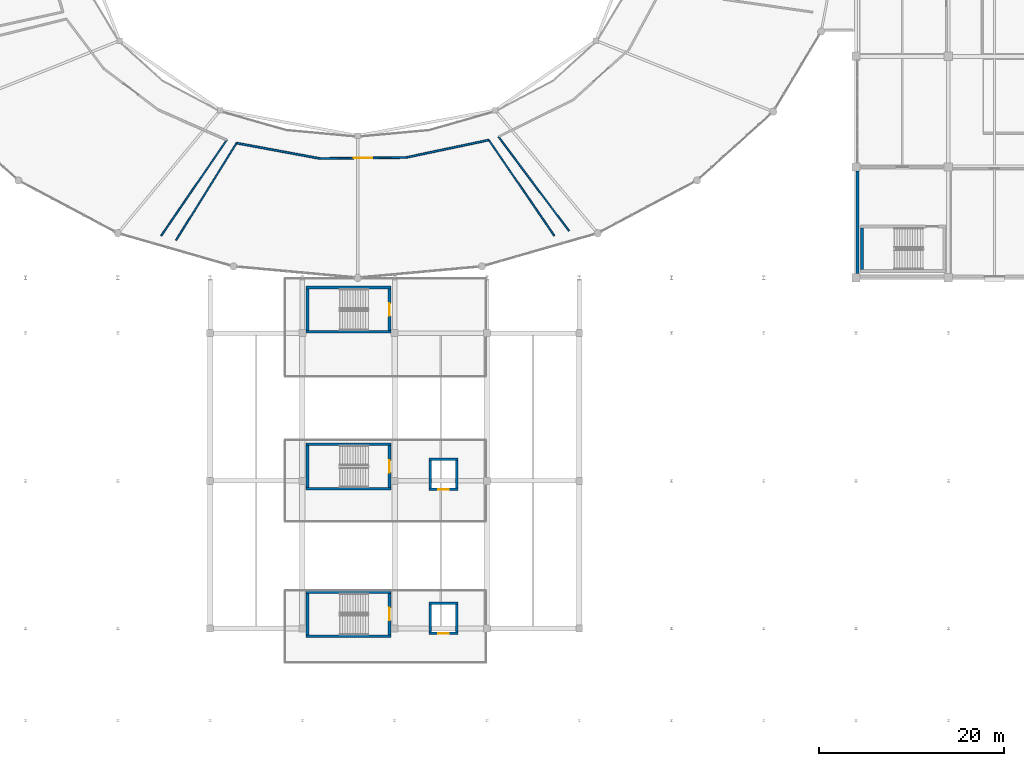
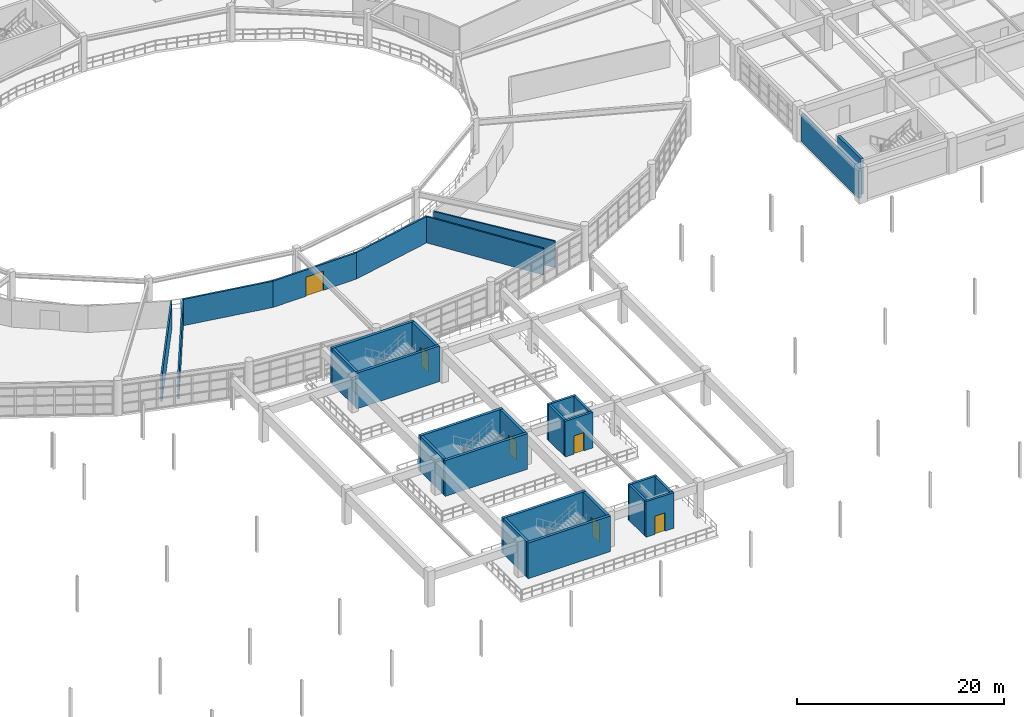
# One storey, part 76 of 100: 29 walls, 6 doors, 6 openings.
"""IFC4 building model written with IfcOpenShell, lengths in metres."""

from ifc_helpers import new_model, si_unit, direction, frame, frame_2d, origin, place, context, subcontext, project, spatial, rectangle, extrude, material, layer, layer_set, type_object, element, fill, save


model = new_model("IFC4")

# Units and contexts
model_context = context("Model", 3, precision=1e-05, world=origin(), true_north=direction((0.0, 1.0)))
body_context = subcontext(model_context, "Body", "Model", "MODEL_VIEW")
ifc_project = project(units=[si_unit("LENGTHUNIT", "METRE"), si_unit("AREAUNIT", "SQUARE_METRE"), si_unit("VOLUMEUNIT", "CUBIC_METRE"), si_unit("PLANEANGLEUNIT", "RADIAN"), si_unit("MASSUNIT", "GRAM", prefix="KILO")], contexts=[model_context])

# Site, building, storey
site_placement = place(None, origin())
site = spatial("IfcSite", under=ifc_project, at=site_placement, CompositionType="ELEMENT")
building_placement = place(site_placement, origin())
building = spatial("IfcBuilding", under=site, at=building_placement, Name="Kivolera Central Railway Station", CompositionType="ELEMENT")
storey_placement = place(building_placement, frame((0.0, 0.0, 5.39990234375)))
storey = spatial("IfcBuildingStorey", under=building, at=storey_placement, Name="L01", CompositionType="ELEMENT", Elevation=5.39990234375)

# Wall
ifc_material_1 = material(Name="Swahili coral limestone", Category="masonry")
ifc_layer_1 = layer(ifc_material_1, 0.199951171875, Name="Swahili coral limestone")
ifc_layer_set_1 = layer_set([ifc_layer_1], Name="Swahili coral limestone")
wall_type_1 = type_object("IfcWallType", Name="WL-COR-200", PredefinedType="PARTITIONING", material=ifc_layer_set_1)
wall_1_placement = place(storey_placement, frame((50.87109375, 68.597900390625, 0.0), z_axis=(0.0, 0.0, 1.0), x_axis=(0.983245863144, -0.18228431806, 0.0)))
element("IfcWall", 1, at=wall_1_placement, inside=storey, type_object=wall_type_1, Name="L01 First-Class Intercity Departure Lounge Gallery Wall 1", PredefinedType="PARTITIONING", context=body_context, shape_type="SweptSolid", body=[
    extrude(rectangle(XDim=9.18798828125, YDim=0.199951171875, at=frame_2d((4.593994140625, 0.0))), origin(), (0.0, 0.0, 1.0), 3.10009765625),
])

# Wall, opening, door
wall_2_placement = place(storey_placement, frame((59.905029296875, 66.923095703125, 0.0), z_axis=(0.0, 0.0, 1.0), x_axis=(0.999927261613, 0.012061155941, 0.0)))
wall_2 = element("IfcWall", 2, at=wall_2_placement, inside=storey, type_object=wall_type_1, Name="L01 First-Class Intercity Departure Lounge Gallery Wall 2", PredefinedType="PARTITIONING", context=body_context, shape_type="SweptSolid", body=[
    extrude(rectangle(XDim=9.351806640625, YDim=0.199951171875, at=frame_2d((4.67578125, 0.0))), origin(), (0.0, 0.0, 1.0), 3.10009765625),
])
opening_1_placement = place(wall_2_placement, frame((3.676025390625, 0.0, 0.0)))
opening_1 = element("IfcOpeningElement", 3, at=opening_1_placement, cuts=wall_2, Name="Opening D-DB-06", PredefinedType="OPENING", context=body_context, shape_type="SweptSolid", body=[
    extrude(rectangle(XDim=2.0, YDim=2.25, at=frame_2d((1.0, 1.125))), frame((0.0, 0.10986328125, 0.0), z_axis=(0.0, -1.0, 0.0), x_axis=(1.0, 0.0, 0.0)), (0.0, 0.0, 1.0), 0.219970703125),
])
ifc_material_2 = material(Name="Anodised aluminium", Category="aluminium")
door_type_1 = type_object("IfcDoorType", Name="DR-D-DB-06", OperationType="NOTDEFINED", PredefinedType="DOOR", material=ifc_material_2)
door_1_placement = place(opening_1_placement, origin())
door_1 = element("IfcDoor", 4, at=door_1_placement, inside=storey, type_object=door_type_1, Name="L01 First-Class Intercity Departure Lounge Door", OperationType="DOUBLE_DOOR_SINGLE_SWING", OverallHeight=2.25, OverallWidth=2.0, PredefinedType="DOOR", context=body_context, shape_type="SweptSolid", body=[
    extrude(rectangle(XDim=2.0, YDim=2.25, at=frame_2d((1.0, 1.125))), frame((0.0, 0.02490234375, 0.0), z_axis=(0.0, -1.0, 0.0), x_axis=(1.0, 0.0, 0.0)), (0.0, 0.0, 1.0), 0.050048828125),
])
fill(opening_1, door_1)

# Walls
wall_3_placement = place(storey_placement, frame((69.256103515625, 67.035888671875, 0.0), z_axis=(0.0, 0.0, 1.0), x_axis=(0.97834699935, 0.206971372085, 0.0)))
element("IfcWall", 5, at=wall_3_placement, inside=storey, type_object=wall_type_1, Name="L01 First-Class Intercity Departure Lounge Gallery Wall 3", PredefinedType="PARTITIONING", context=body_context, shape_type="SweptSolid", body=[
    extrude(rectangle(XDim=9.141845703125, YDim=0.199951171875, at=frame_2d((4.57080078125, 0.0))), origin(), (0.0, 0.0, 1.0), 3.10009765625),
])
ifc_material_3 = material(Name="Concrete C40/50", Category="concrete")
ifc_layer_2 = layer(ifc_material_3, 0.300048828125, Name="Concrete C40/50")
ifc_layer_set_2 = layer_set([ifc_layer_2], Name="Concrete C40/50")
wall_type_2 = type_object("IfcWallType", Name="WL-CORE-300", PredefinedType="SHEAR", material=ifc_layer_set_2)
wall_4_placement = place(storey_placement, frame((118.64990234375, 54.89990234375, 0.0), z_axis=(0.0, 0.0, 1.0), x_axis=(0.0, 1.0, 0.0)))
element("IfcWall", 6, at=wall_4_placement, inside=storey, type_object=wall_type_2, Name="L01 ST4 Core Far Shear Wall", PredefinedType="SHEAR", context=body_context, shape_type="SweptSolid", body=[
    extrude(rectangle(XDim=4.5, YDim=0.300048828125, at=frame_2d((2.25, 0.0))), origin(), (0.0, 0.0, 1.0), 4.2001953125),
])
wall_5_placement = place(storey_placement, frame((67.625, 48.14990234375, 0.0), z_axis=(0.0, 0.0, 1.0), x_axis=(-1.0, 0.0, 0.0)))
element("IfcWall", 7, at=wall_5_placement, inside=storey, type_object=wall_type_2, Name="L01 ST8 Core Right Shear Wall", PredefinedType="SHEAR", context=body_context, shape_type="SweptSolid", body=[
    extrude(rectangle(XDim=9.25, YDim=0.300048828125, at=frame_2d((4.625, 0.0))), origin(), (0.0, 0.0, 1.0), 4.2001953125),
])
wall_6_placement = place(storey_placement, frame((58.39990234375, 52.949951171875, 0.0), z_axis=(0.0, 0.0, 1.0), x_axis=(1.0, 0.0, 0.0)))
element("IfcWall", 8, at=wall_6_placement, inside=storey, type_object=wall_type_2, Name="L01 ST8 Core Left Shear Wall", PredefinedType="SHEAR", context=body_context, shape_type="SweptSolid", body=[
    extrude(rectangle(XDim=9.2001953125, YDim=0.300048828125, at=frame_2d((4.60009765625, 0.0))), origin(), (0.0, 0.0, 1.0), 4.2001953125),
])

# Wall, opening, door
wall_7_placement = place(storey_placement, frame((67.449951171875, 52.800048828125, 0.0), z_axis=(0.0, 0.0, 1.0), x_axis=(0.0, -1.0, 0.0)))
wall_7 = element("IfcWall", 9, at=wall_7_placement, inside=storey, type_object=wall_type_2, Name="L01 ST8 Core Near Shear Wall", PredefinedType="SHEAR", context=body_context, shape_type="SweptSolid", body=[
    extrude(rectangle(XDim=4.5, YDim=0.300048828125, at=frame_2d((2.25, 0.0))), origin(), (0.0, 0.0, 1.0), 4.2001953125),
])
opening_2_placement = place(wall_7_placement, frame((1.574951171875, 0.0, 0.0)))
opening_2 = element("IfcOpeningElement", 10, at=opening_2_placement, cuts=wall_7, Name="Opening D-STAIR-1350", PredefinedType="OPENING", context=body_context, shape_type="SweptSolid", body=[
    extrude(rectangle(XDim=1.35009765625, YDim=2.14990234375, at=frame_2d((0.675048828125, 1.074951171875))), frame((0.0, 0.159912109375, 0.0), z_axis=(0.0, -1.0, 0.0), x_axis=(1.0, 0.0, 0.0)), (0.0, 0.0, 1.0), 0.320068359375),
])
ifc_material_4 = material(Name="Hardwood mvule timber", Category="wood")
door_type_2 = type_object("IfcDoorType", Name="DR-D-STAIR-1350", OperationType="NOTDEFINED", PredefinedType="DOOR", material=ifc_material_4)
door_2_placement = place(opening_2_placement, origin())
door_2 = element("IfcDoor", 11, at=door_2_placement, inside=storey, type_object=door_type_2, Name="L01 ST8 Concourse/Platform Stair Fire Door", OperationType="SINGLE_SWING_LEFT", OverallHeight=2.14990234375, OverallWidth=1.35009765625, PredefinedType="DOOR", context=body_context, shape_type="SweptSolid", body=[
    extrude(rectangle(XDim=1.35009765625, YDim=2.14990234375, at=frame_2d((0.675048828125, 1.074951171875))), frame((0.0, 0.02490234375, 0.0), z_axis=(0.0, -1.0, 0.0), x_axis=(1.0, 0.0, 0.0)), (0.0, 0.0, 1.0), 0.050048828125),
])
fill(opening_2, door_2)

# Walls
wall_8_placement = place(storey_placement, frame((58.550048828125, 48.300048828125, 0.0), z_axis=(0.0, 0.0, 1.0), x_axis=(0.0, 1.0, 0.0)))
element("IfcWall", 12, at=wall_8_placement, inside=storey, type_object=wall_type_2, Name="L01 ST8 Core Far Shear Wall", PredefinedType="SHEAR", context=body_context, shape_type="SweptSolid", body=[
    extrude(rectangle(XDim=4.5, YDim=0.300048828125, at=frame_2d((2.25, 0.0))), origin(), (0.0, 0.0, 1.0), 4.2001953125),
])
for number, where, z_axis, x_axis, name in (
    (13, (67.60009765625, 31.14990234375, 0.0), (0.0, 0.0, 1.0), (-1.0, 0.0, 0.0), "L01 ST9 Core Right Shear Wall"),
    (14, (58.39990234375, 35.949951171875, 0.0), (0.0, 0.0, 1.0), (1.0, 0.0, 0.0), "L01 ST9 Core Left Shear Wall"),
):
    element("IfcWall", number, at=place(storey_placement, frame(where, z_axis=z_axis, x_axis=x_axis)), inside=storey, type_object=wall_type_2, Name=name, PredefinedType="SHEAR", context=body_context, shape_type="SweptSolid", body=[
        extrude(rectangle(XDim=9.2001953125, YDim=0.300048828125, at=frame_2d((4.60009765625, 0.0))), origin(), (0.0, 0.0, 1.0), 4.2001953125),
    ])

# Wall, opening, door
wall_9_placement = place(storey_placement, frame((67.449951171875, 35.800048828125, 0.0), z_axis=(0.0, 0.0, 1.0), x_axis=(0.0, -1.0, 0.0)))
wall_9 = element("IfcWall", 15, at=wall_9_placement, inside=storey, type_object=wall_type_2, Name="L01 ST9 Core Near Shear Wall", PredefinedType="SHEAR", context=body_context, shape_type="SweptSolid", body=[
    extrude(rectangle(XDim=4.5, YDim=0.300048828125, at=frame_2d((2.25, 0.0))), origin(), (0.0, 0.0, 1.0), 4.2001953125),
])
opening_3_placement = place(wall_9_placement, frame((1.574951171875, 0.0, 0.0)))
opening_3 = element("IfcOpeningElement", 16, at=opening_3_placement, cuts=wall_9, Name="Opening D-STAIR-1350", PredefinedType="OPENING", context=body_context, shape_type="SweptSolid", body=[
    extrude(rectangle(XDim=1.35009765625, YDim=2.14990234375, at=frame_2d((0.675048828125, 1.074951171875))), frame((0.0, 0.159912109375, 0.0), z_axis=(0.0, -1.0, 0.0), x_axis=(1.0, 0.0, 0.0)), (0.0, 0.0, 1.0), 0.320068359375),
])
door_3_placement = place(opening_3_placement, origin())
door_3 = element("IfcDoor", 17, at=door_3_placement, inside=storey, type_object=door_type_2, Name="L01 ST9 Concourse/Platform Stair Fire Door", OperationType="SINGLE_SWING_RIGHT", OverallHeight=2.14990234375, OverallWidth=1.35009765625, PredefinedType="DOOR", context=body_context, shape_type="SweptSolid", body=[
    extrude(rectangle(XDim=1.35009765625, YDim=2.14990234375, at=frame_2d((0.675048828125, 1.074951171875))), frame((0.0, 0.02490234375, 0.0), z_axis=(0.0, -1.0, 0.0), x_axis=(1.0, 0.0, 0.0)), (0.0, 0.0, 1.0), 0.050048828125),
])
fill(opening_3, door_3)

# Walls
wall_10_placement = place(storey_placement, frame((58.550048828125, 31.300048828125, 0.0), z_axis=(0.0, 0.0, 1.0), x_axis=(0.0, 1.0, 0.0)))
element("IfcWall", 18, at=wall_10_placement, inside=storey, type_object=wall_type_2, Name="L01 ST9 Core Far Shear Wall", PredefinedType="SHEAR", context=body_context, shape_type="SweptSolid", body=[
    extrude(rectangle(XDim=4.5, YDim=0.300048828125, at=frame_2d((2.25, 0.0))), origin(), (0.0, 0.0, 1.0), 4.2001953125),
])
for number, where, z_axis, x_axis, name in (
    (19, (67.60009765625, 15.14990234375, 0.0), (0.0, 0.0, 1.0), (-1.0, 0.0, 0.0), "L01 ST10 Core Right Shear Wall"),
    (20, (58.39990234375, 19.949951171875, 0.0), (0.0, 0.0, 1.0), (1.0, 0.0, 0.0), "L01 ST10 Core Left Shear Wall"),
):
    element("IfcWall", number, at=place(storey_placement, frame(where, z_axis=z_axis, x_axis=x_axis)), inside=storey, type_object=wall_type_2, Name=name, PredefinedType="SHEAR", context=body_context, shape_type="SweptSolid", body=[
        extrude(rectangle(XDim=9.2001953125, YDim=0.300048828125, at=frame_2d((4.60009765625, 0.0))), origin(), (0.0, 0.0, 1.0), 4.2001953125),
    ])

# Wall, opening, door
wall_11_placement = place(storey_placement, frame((67.449951171875, 19.800048828125, 0.0), z_axis=(0.0, 0.0, 1.0), x_axis=(0.0, -1.0, 0.0)))
wall_11 = element("IfcWall", 21, at=wall_11_placement, inside=storey, type_object=wall_type_2, Name="L01 ST10 Core Near Shear Wall", PredefinedType="SHEAR", context=body_context, shape_type="SweptSolid", body=[
    extrude(rectangle(XDim=4.5, YDim=0.300048828125, at=frame_2d((2.25, 0.0))), origin(), (0.0, 0.0, 1.0), 4.2001953125),
])
opening_4_placement = place(wall_11_placement, frame((1.574951171875, 0.0, 0.0)))
opening_4 = element("IfcOpeningElement", 22, at=opening_4_placement, cuts=wall_11, Name="Opening D-STAIR-1350", PredefinedType="OPENING", context=body_context, shape_type="SweptSolid", body=[
    extrude(rectangle(XDim=1.35009765625, YDim=2.14990234375, at=frame_2d((0.675048828125, 1.074951171875))), frame((0.0, 0.159912109375, 0.0), z_axis=(0.0, -1.0, 0.0), x_axis=(1.0, 0.0, 0.0)), (0.0, 0.0, 1.0), 0.320068359375),
])
door_4_placement = place(opening_4_placement, origin())
door_4 = element("IfcDoor", 23, at=door_4_placement, inside=storey, type_object=door_type_2, Name="L01 ST10 Concourse/Platform Stair Fire Door", OperationType="SINGLE_SWING_LEFT", OverallHeight=2.14990234375, OverallWidth=1.35009765625, PredefinedType="DOOR", context=body_context, shape_type="SweptSolid", body=[
    extrude(rectangle(XDim=1.35009765625, YDim=2.14990234375, at=frame_2d((0.675048828125, 1.074951171875))), frame((0.0, 0.02490234375, 0.0), z_axis=(0.0, -1.0, 0.0), x_axis=(1.0, 0.0, 0.0)), (0.0, 0.0, 1.0), 0.050048828125),
])
fill(opening_4, door_4)

# Walls
wall_12_placement = place(storey_placement, frame((58.550048828125, 15.300048828125, 0.0), z_axis=(0.0, 0.0, 1.0), x_axis=(0.0, 1.0, 0.0)))
element("IfcWall", 24, at=wall_12_placement, inside=storey, type_object=wall_type_2, Name="L01 ST10 Core Far Shear Wall", PredefinedType="SHEAR", context=body_context, shape_type="SweptSolid", body=[
    extrude(rectangle(XDim=4.5, YDim=0.300048828125, at=frame_2d((2.25, 0.0))), origin(), (0.0, 0.0, 1.0), 4.2001953125),
])
ifc_layer_3 = layer(ifc_material_1, 0.320068359375, Name="Swahili coral limestone")
ifc_layer_set_3 = layer_set([ifc_layer_3], Name="Swahili coral limestone")
wall_type_3 = type_object("IfcWallType", Name="WL-EXT-CORAL-320", PredefinedType="SOLIDWALL", material=ifc_layer_set_3)
wall_13_placement = place(storey_placement, frame((118.159912109375, 54.445068359375, 0.0), z_axis=(0.0, 0.0, 1.0), x_axis=(0.0, 1.0, 0.0)))
element("IfcWall", 25, at=wall_13_placement, inside=storey, type_object=wall_type_3, Name="L01 West Facade Wall E-F", PredefinedType="SOLIDWALL", context=body_context, shape_type="SweptSolid", body=[
    extrude(rectangle(XDim=11.10986328125, YDim=0.320068359375, at=frame_2d((5.554931640625, 0.0))), origin(), (0.0, 0.0, 1.0), 3.218017578125),
])
ifc_material_5 = material(Name="Gypsum plasterboard steel-stud partition")
ifc_layer_4 = layer(ifc_material_5, 0.1650390625, Name="Gypsum plasterboard steel-stud partition")
ifc_layer_set_4 = layer_set([ifc_layer_4], Name="Gypsum plasterboard steel-stud partition")
wall_type_4 = type_object("IfcWallType", Name="WL-PRT-165", PredefinedType="PARTITIONING", material=ifc_layer_set_4)
wall_14_placement = place(storey_placement, frame((49.800048828125, 68.927978515625, 0.0), z_axis=(0.0, 0.0, 1.0), x_axis=(-0.564688092093, -0.825304403628, 0.0)))
element("IfcWall", 26, at=wall_14_placement, inside=storey, type_object=wall_type_4, Name="L01 West Lantern Espresso and Pastry Cafe Radial Partition R1", PredefinedType="PARTITIONING", context=body_context, shape_type="SweptSolid", body=[
    extrude(rectangle(XDim=12.573486328125, YDim=0.1650390625, at=frame_2d((6.28662109375, 0.0))), origin(), (0.0, 0.0, 1.0), 3.10009765625),
])
wall_15_placement = place(storey_placement, frame((50.87109375, 68.597900390625, 0.0), z_axis=(0.0, 0.0, 1.0), x_axis=(-0.528656830676, -0.84883564686, 0.0)))
element("IfcWall", 27, at=wall_15_placement, inside=storey, type_object=wall_type_4, Name="L01 First-Class Intercity Departure Lounge Radial Partition R0", PredefinedType="PARTITIONING", context=body_context, shape_type="SweptSolid", body=[
    extrude(rectangle(XDim=12.416748046875, YDim=0.1650390625, at=frame_2d((6.20849609375, 0.0))), origin(), (0.0, 0.0, 1.0), 3.10009765625),
])
wall_16_placement = place(storey_placement, frame((78.199951171875, 68.927978515625, 0.0), z_axis=(0.0, 0.0, 1.0), x_axis=(0.564688092093, -0.825304403628, 0.0)))
element("IfcWall", 28, at=wall_16_placement, inside=storey, type_object=wall_type_4, Name="L01 First-Class Intercity Departure Lounge Radial Partition R1", PredefinedType="PARTITIONING", context=body_context, shape_type="SweptSolid", body=[
    extrude(rectangle(XDim=12.573486328125, YDim=0.1650390625, at=frame_2d((6.28662109375, 0.0))), origin(), (0.0, 0.0, 1.0), 3.10009765625),
])
wall_17_placement = place(storey_placement, frame((79.25390625, 69.283935546875, 0.0), z_axis=(0.0, 0.0, 1.0), x_axis=(0.598781846655, -0.800912167542, 0.0)))
element("IfcWall", 29, at=wall_17_placement, inside=storey, type_object=wall_type_4, Name="L01 Regional Rail Customer Service Office Radial Partition R0", PredefinedType="PARTITIONING", context=body_context, shape_type="SweptSolid", body=[
    extrude(rectangle(XDim=12.73779296875, YDim=0.1650390625, at=frame_2d((6.368896484375, 0.0))), origin(), (0.0, 0.0, 1.0), 3.10009765625),
])

# Wall, opening, door
ifc_layer_5 = layer(ifc_material_3, 0.260009765625, Name="Concrete C40/50")
ifc_layer_set_5 = layer_set([ifc_layer_5], Name="Concrete C40/50")
wall_type_5 = type_object("IfcWallType", Name="WL-SHAFT-260", PredefinedType="SHEAR", material=ifc_layer_set_5)
wall_18_placement = place(storey_placement, frame((71.739990234375, 31.070068359375, 0.0), z_axis=(0.0, 0.0, 1.0), x_axis=(1.0, 0.0, 0.0)))
wall_18 = element("IfcWall", 30, at=wall_18_placement, inside=storey, type_object=wall_type_5, Name="L01 Lift PL4 Front Shaft Wall", PredefinedType="SHEAR", context=body_context, shape_type="SweptSolid", body=[
    extrude(rectangle(XDim=3.1201171875, YDim=0.260009765625, at=frame_2d((1.56005859375, 0.0))), origin(), (0.0, 0.0, 1.0), 4.2001953125),
])
opening_5_placement = place(wall_18_placement, frame((1.010009765625, 0.0, 0.0)))
opening_5 = element("IfcOpeningElement", 31, at=opening_5_placement, cuts=wall_18, Name="Opening LD-PAX-1100", PredefinedType="OPENING", context=body_context, shape_type="SweptSolid", body=[
    extrude(rectangle(XDim=1.10009765625, YDim=2.14990234375, at=frame_2d((0.550048828125, 1.074951171875))), frame((0.0, 0.139892578125, 0.0), z_axis=(0.0, -1.0, 0.0), x_axis=(1.0, 0.0, 0.0)), (0.0, 0.0, 1.0), 0.280029296875),
])
door_type_3 = type_object("IfcDoorType", Name="DR-LD-PAX-1100", OperationType="NOTDEFINED", PredefinedType="DOOR", material=ifc_material_2)
door_5_placement = place(opening_5_placement, origin())
door_5 = element("IfcDoor", 32, at=door_5_placement, inside=storey, type_object=door_type_3, Name="L01 Lift PL4 Sliding Landing Door", OperationType="SLIDING_TO_LEFT", OverallHeight=2.14990234375, OverallWidth=1.10009765625, PredefinedType="DOOR", context=body_context, shape_type="SweptSolid", body=[
    extrude(rectangle(XDim=1.10009765625, YDim=2.14990234375, at=frame_2d((0.550048828125, 1.074951171875))), frame((0.0, 0.02490234375, 0.0), z_axis=(0.0, -1.0, 0.0), x_axis=(1.0, 0.0, 0.0)), (0.0, 0.0, 1.0), 0.050048828125),
])
fill(opening_5, door_5)

# Walls
for number, where, z_axis, x_axis, name in (
    (33, (71.8701171875, 31.199951171875, 0.0), (0.0, 0.0, 1.0), (0.0, 1.0, 0.0), "L01 Lift PL4 West Shaft Wall"),
    (34, (74.72998046875, 31.199951171875, 0.0), (0.0, 0.0, 1.0), (0.0, 1.0, 0.0), "L01 Lift PL4 East Shaft Wall"),
):
    element("IfcWall", number, at=place(storey_placement, frame(where, z_axis=z_axis, x_axis=x_axis)), inside=storey, type_object=wall_type_5, Name=name, PredefinedType="SHEAR", context=body_context, shape_type="SweptSolid", body=[
        extrude(rectangle(XDim=3.0, YDim=0.260009765625, at=frame_2d((1.5, 0.0))), origin(), (0.0, 0.0, 1.0), 4.2001953125),
    ])
wall_19_placement = place(storey_placement, frame((71.739990234375, 34.330078125, 0.0), z_axis=(0.0, 0.0, 1.0), x_axis=(1.0, 0.0, 0.0)))
element("IfcWall", 35, at=wall_19_placement, inside=storey, type_object=wall_type_5, Name="L01 Lift PL4 Rear Shaft Wall", PredefinedType="SHEAR", context=body_context, shape_type="SweptSolid", body=[
    extrude(rectangle(XDim=3.1201171875, YDim=0.260009765625, at=frame_2d((1.56005859375, 0.0))), origin(), (0.0, 0.0, 1.0), 4.2001953125),
])

# Wall, opening, door
wall_20_placement = place(storey_placement, frame((71.739990234375, 15.469970703125, 0.0), z_axis=(0.0, 0.0, 1.0), x_axis=(1.0, 0.0, 0.0)))
wall_20 = element("IfcWall", 36, at=wall_20_placement, inside=storey, type_object=wall_type_5, Name="L01 Lift PL5 Front Shaft Wall", PredefinedType="SHEAR", context=body_context, shape_type="SweptSolid", body=[
    extrude(rectangle(XDim=3.1201171875, YDim=0.260009765625, at=frame_2d((1.56005859375, 0.0))), origin(), (0.0, 0.0, 1.0), 4.2001953125),
])
opening_6_placement = place(wall_20_placement, frame((1.010009765625, 0.0, 0.0)))
opening_6 = element("IfcOpeningElement", 37, at=opening_6_placement, cuts=wall_20, Name="Opening LD-PAX-1100", PredefinedType="OPENING", context=body_context, shape_type="SweptSolid", body=[
    extrude(rectangle(XDim=1.10009765625, YDim=2.14990234375, at=frame_2d((0.550048828125, 1.074951171875))), frame((0.0, 0.139892578125, 0.0), z_axis=(0.0, -1.0, 0.0), x_axis=(1.0, 0.0, 0.0)), (0.0, 0.0, 1.0), 0.280029296875),
])
door_6_placement = place(opening_6_placement, origin())
door_6 = element("IfcDoor", 38, at=door_6_placement, inside=storey, type_object=door_type_3, Name="L01 Lift PL5 Sliding Landing Door", OperationType="SLIDING_TO_LEFT", OverallHeight=2.14990234375, OverallWidth=1.10009765625, PredefinedType="DOOR", context=body_context, shape_type="SweptSolid", body=[
    extrude(rectangle(XDim=1.10009765625, YDim=2.14990234375, at=frame_2d((0.550048828125, 1.074951171875))), frame((0.0, 0.02490234375, 0.0), z_axis=(0.0, -1.0, 0.0), x_axis=(1.0, 0.0, 0.0)), (0.0, 0.0, 1.0), 0.050048828125),
])
fill(opening_6, door_6)

# Walls
for number, where, z_axis, x_axis, name in (
    (39, (71.8701171875, 15.60009765625, 0.0), (0.0, 0.0, 1.0), (0.0, 1.0, 0.0), "L01 Lift PL5 West Shaft Wall"),
    (40, (74.72998046875, 15.60009765625, 0.0), (0.0, 0.0, 1.0), (0.0, 1.0, 0.0), "L01 Lift PL5 East Shaft Wall"),
):
    element("IfcWall", number, at=place(storey_placement, frame(where, z_axis=z_axis, x_axis=x_axis)), inside=storey, type_object=wall_type_5, Name=name, PredefinedType="SHEAR", context=body_context, shape_type="SweptSolid", body=[
        extrude(rectangle(XDim=3.0, YDim=0.260009765625, at=frame_2d((1.5, 0.0))), origin(), (0.0, 0.0, 1.0), 4.2001953125),
    ])
wall_21_placement = place(storey_placement, frame((71.739990234375, 18.72998046875, 0.0), z_axis=(0.0, 0.0, 1.0), x_axis=(1.0, 0.0, 0.0)))
element("IfcWall", 41, at=wall_21_placement, inside=storey, type_object=wall_type_5, Name="L01 Lift PL5 Rear Shaft Wall", PredefinedType="SHEAR", context=body_context, shape_type="SweptSolid", body=[
    extrude(rectangle(XDim=3.1201171875, YDim=0.260009765625, at=frame_2d((1.56005859375, 0.0))), origin(), (0.0, 0.0, 1.0), 4.2001953125),
])

save(model, "model.ifc")
